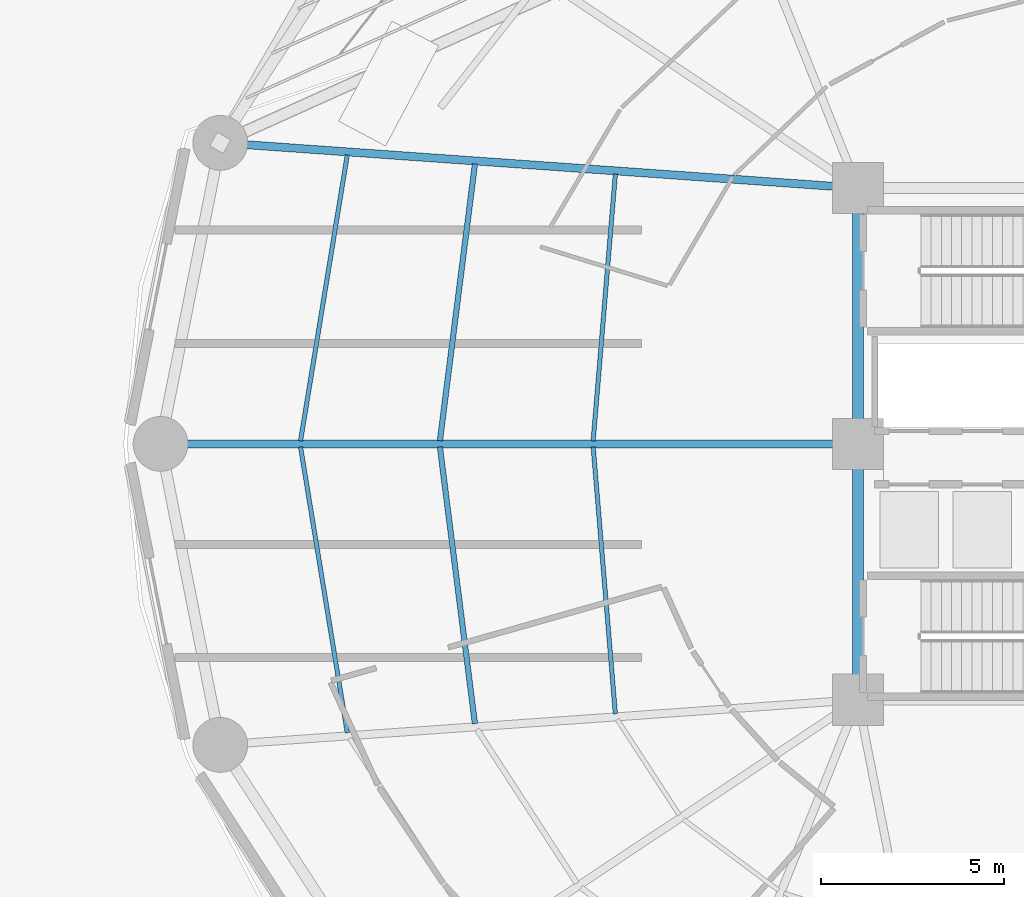
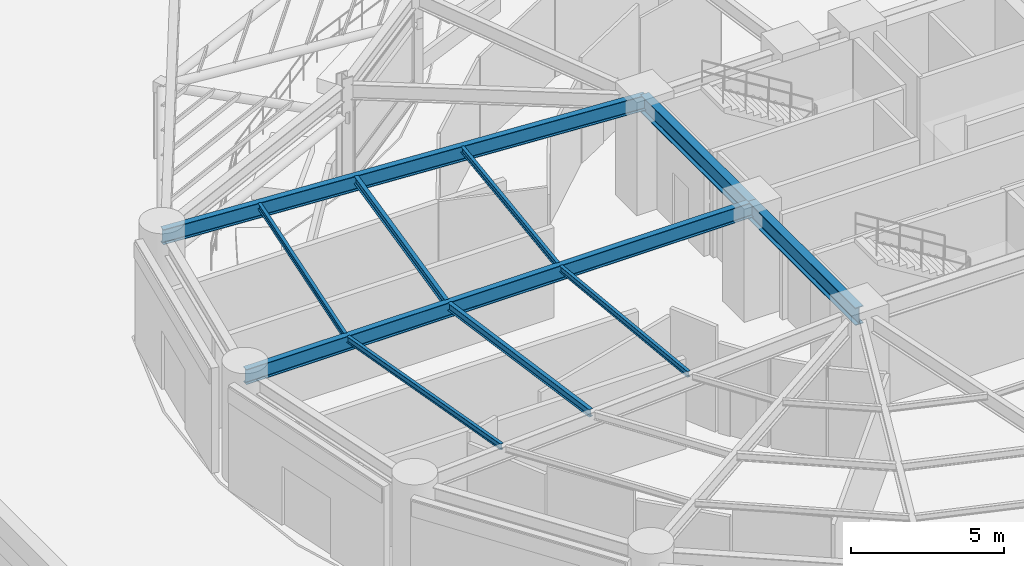
# One storey, part 15 of 40: 10 beams.
"""IFC4 building model written with IfcOpenShell, lengths in metres."""

from ifc_helpers import new_model, si_unit, direction, frame, origin, origin_2d, place, context, subcontext, project, spatial, i_section, extrude, material, material_profile, profile_set, type_object, element, save


model = new_model("IFC4")

# Units and contexts
model_context = context("Model", 3, precision=1e-05, world=origin(), true_north=direction((0.0, 1.0)))
body_context = subcontext(model_context, "Body", "Model", "MODEL_VIEW")
ifc_project = project(units=[si_unit("LENGTHUNIT", "METRE"), si_unit("AREAUNIT", "SQUARE_METRE"), si_unit("VOLUMEUNIT", "CUBIC_METRE"), si_unit("PLANEANGLEUNIT", "RADIAN"), si_unit("MASSUNIT", "GRAM", prefix="KILO")], contexts=[model_context])

# Site, building, storey
site_placement = place(None, origin())
site = spatial("IfcSite", under=ifc_project, at=site_placement, CompositionType="ELEMENT")
building_placement = place(site_placement, origin())
building = spatial("IfcBuilding", under=site, at=building_placement, Name="Kelanora Arch Commons", CompositionType="ELEMENT")
storey_placement = place(building_placement, origin())
storey = spatial("IfcBuildingStorey", under=building, at=storey_placement, Name="L00", CompositionType="ELEMENT", Elevation=0.0)

# Beams
ifc_material = material(Name="Steel S355", Category="steel")
ifc_material_profile_1 = material_profile(ifc_material, i_section(OverallWidth=0.300048828125, OverallDepth=0.699951171875, WebThickness=0.01708984375, FlangeThickness=0.031982421875, FilletRadius=0.027099609375, at=origin_2d()), Name="HEB700")
ifc_profile_set_1 = profile_set([ifc_material_profile_1], Name="Steel S355")
beam_type_1 = type_object("IfcBeamType", Name="BM-CORE-HDR", PredefinedType="BEAM", material=ifc_profile_set_1)
for number, where, z_axis, x_axis, name in (
    (1, (66.0, 65.0, 3.85009765625), (0.0, -1.0, 0.0), (1.0, 0.0, 0.0), "Core Header Beam 08 L00"),
    (2, (66.0, 58.0, 3.85009765625), (0.0, -1.0, 0.0), (1.0, 0.0, 0.0), "Core Header Beam 09 L00"),
):
    element("IfcBeam", number, at=place(storey_placement, frame(where, z_axis=z_axis, x_axis=x_axis)), inside=storey, type_object=beam_type_1, Name=name, PredefinedType="BEAM", context=body_context, shape_type="SweptSolid", body=[
        extrude(i_section(OverallWidth=0.300048828125, OverallDepth=0.699951171875, WebThickness=0.01708984375, FlangeThickness=0.031982421875, FilletRadius=0.027099609375, at=origin_2d()), origin(), (0.0, 0.0, 1.0), 7.0),
    ])
ifc_material_profile_2 = material_profile(ifc_material, i_section(OverallWidth=0.14990234375, OverallDepth=0.300048828125, WebThickness=0.007080078125, FlangeThickness=0.0107421875, FilletRadius=0.014892578125, at=origin_2d()), Name="IPE300")
ifc_profile_set_2 = profile_set([ifc_material_profile_2], Name="Steel S355")
beam_type_2 = type_object("IfcBeamType", Name="BM-JST-01", PredefinedType="JOIST", material=ifc_profile_set_2)
for number, where, z_axis, x_axis, name in (
    (3, (55.521240234375, 65.6572265625, 4.050048828125), (-0.125565841651, -0.992085288375, 0.0), (0.992085288375, -0.125565841651, 0.0), "Secondary Chord Joist BJB-16 L00"),
    (4, (54.562744140625, 57.915771484375, 4.050048828125), (0.125565841651, -0.992085288375, 0.0), (0.992085288375, 0.125565841651, 0.0), "Secondary Chord Joist BJB-18 L00"),
):
    element("IfcBeam", number, at=place(storey_placement, frame(where, z_axis=z_axis, x_axis=x_axis)), inside=storey, type_object=beam_type_2, Name=name, PredefinedType="JOIST", context=body_context, shape_type="SweptSolid", body=[
        extrude(i_section(OverallWidth=0.14990234375, OverallDepth=0.300048828125, WebThickness=0.007080078125, FlangeThickness=0.0107421875, FilletRadius=0.014892578125, at=origin_2d()), origin(), (0.0, 0.0, 1.0), 7.63330078125),
    ])
ifc_material_profile_3 = material_profile(ifc_material, i_section(OverallWidth=0.1201171875, OverallDepth=0.239990234375, WebThickness=0.006103515625, FlangeThickness=0.009765625, FilletRadius=0.014892578125, at=origin_2d()), Name="IPE240")
ifc_profile_set_3 = profile_set([ifc_material_profile_3], Name="Steel S355")
beam_type_3 = type_object("IfcBeamType", Name="BM-JST-02", PredefinedType="JOIST", material=ifc_profile_set_3)
beam_1_placement = place(storey_placement, frame((59.363037109375, 65.385009765625, 4.080078125), z_axis=(-0.082786209886, -0.996567330115, 0.0), x_axis=(0.996567330115, -0.082786209886, 0.0)))
element("IfcBeam", 5, at=beam_1_placement, inside=storey, type_object=beam_type_3, Name="Secondary Chord Joist BJA-16 L00", PredefinedType="JOIST", context=body_context, shape_type="SweptSolid", body=[
    extrude(i_section(OverallWidth=0.1201171875, OverallDepth=0.239990234375, WebThickness=0.006103515625, FlangeThickness=0.009765625, FilletRadius=0.014892578125, at=origin_2d()), origin(), (0.0, 0.0, 1.0), 7.325439453125),
])
beam_2_placement = place(storey_placement, frame((52.02880859375, 65.90478515625, 4.080078125), z_axis=(-0.161400737199, -0.986888951216, 0.0), x_axis=(0.986888951216, -0.161400737199, 0.0)))
element("IfcBeam", 6, at=beam_2_placement, inside=storey, type_object=beam_type_3, Name="Secondary Chord Joist BJC-16 L00", PredefinedType="JOIST", context=body_context, shape_type="SweptSolid", body=[
    extrude(i_section(OverallWidth=0.1201171875, OverallDepth=0.239990234375, WebThickness=0.006103515625, FlangeThickness=0.009765625, FilletRadius=0.014892578125, at=origin_2d()), origin(), (0.0, 0.0, 1.0), 7.9248046875),
])
beam_3_placement = place(storey_placement, frame((58.756591796875, 57.915283203125, 4.080078125), z_axis=(0.082786209886, -0.996567330115, 0.0), x_axis=(0.996567330115, 0.082786209886, 0.0)))
element("IfcBeam", 7, at=beam_3_placement, inside=storey, type_object=beam_type_3, Name="Secondary Chord Joist BJA-18 L00", PredefinedType="JOIST", context=body_context, shape_type="SweptSolid", body=[
    extrude(i_section(OverallWidth=0.1201171875, OverallDepth=0.239990234375, WebThickness=0.006103515625, FlangeThickness=0.009765625, FilletRadius=0.014892578125, at=origin_2d()), origin(), (0.0, 0.0, 1.0), 7.325439453125),
])
beam_4_placement = place(storey_placement, frame((50.749755859375, 57.916015625, 4.080078125), z_axis=(0.161400737199, -0.986888951216, 0.0), x_axis=(0.986888951216, 0.161400737199, 0.0)))
element("IfcBeam", 8, at=beam_4_placement, inside=storey, type_object=beam_type_3, Name="Secondary Chord Joist BJC-18 L00", PredefinedType="JOIST", context=body_context, shape_type="SweptSolid", body=[
    extrude(i_section(OverallWidth=0.1201171875, OverallDepth=0.239990234375, WebThickness=0.006103515625, FlangeThickness=0.009765625, FilletRadius=0.014892578125, at=origin_2d()), origin(), (0.0, 0.0, 1.0), 7.9248046875),
])
ifc_material_profile_4 = material_profile(ifc_material, i_section(OverallWidth=0.219970703125, OverallDepth=0.60009765625, WebThickness=0.011962890625, FlangeThickness=0.01904296875, FilletRadius=0.02392578125, at=origin_2d()), Name="IPE600")
ifc_profile_set_4 = profile_set([ifc_material_profile_4], Name="Steel S355")
beam_type_4 = type_object("IfcBeamType", Name="BM-RAD-Z1", PredefinedType="BEAM", material=ifc_profile_set_4)
beam_5_placement = place(storey_placement, frame((66.0, 65.0, 3.89990234375), z_axis=(-0.997500683472, 0.070656821848, 0.0), x_axis=(-0.070656821848, -0.997500683472, 0.0)))
element("IfcBeam", 9, at=beam_5_placement, inside=storey, type_object=beam_type_4, Name="Radial Floor Girder BR-16 L00", PredefinedType="BEAM", context=body_context, shape_type="SweptSolid", body=[
    extrude(i_section(OverallWidth=0.219970703125, OverallDepth=0.60009765625, WebThickness=0.011962890625, FlangeThickness=0.01904296875, FilletRadius=0.02392578125, at=origin_2d()), origin(), (0.0, 0.0, 1.0), 17.49072265625),
])
beam_6_placement = place(storey_placement, frame((66.0, 58.0, 3.89990234375), z_axis=(-1.0, 0.0, 0.0), x_axis=(0.0, -1.0, 0.0)))
element("IfcBeam", 10, at=beam_6_placement, inside=storey, type_object=beam_type_4, Name="Radial Floor Girder BR-18 L00", PredefinedType="BEAM", context=body_context, shape_type="SweptSolid", body=[
    extrude(i_section(OverallWidth=0.219970703125, OverallDepth=0.60009765625, WebThickness=0.011962890625, FlangeThickness=0.01904296875, FilletRadius=0.02392578125, at=origin_2d()), origin(), (0.0, 0.0, 1.0), 19.080078125),
])

save(model, "model.ifc")
